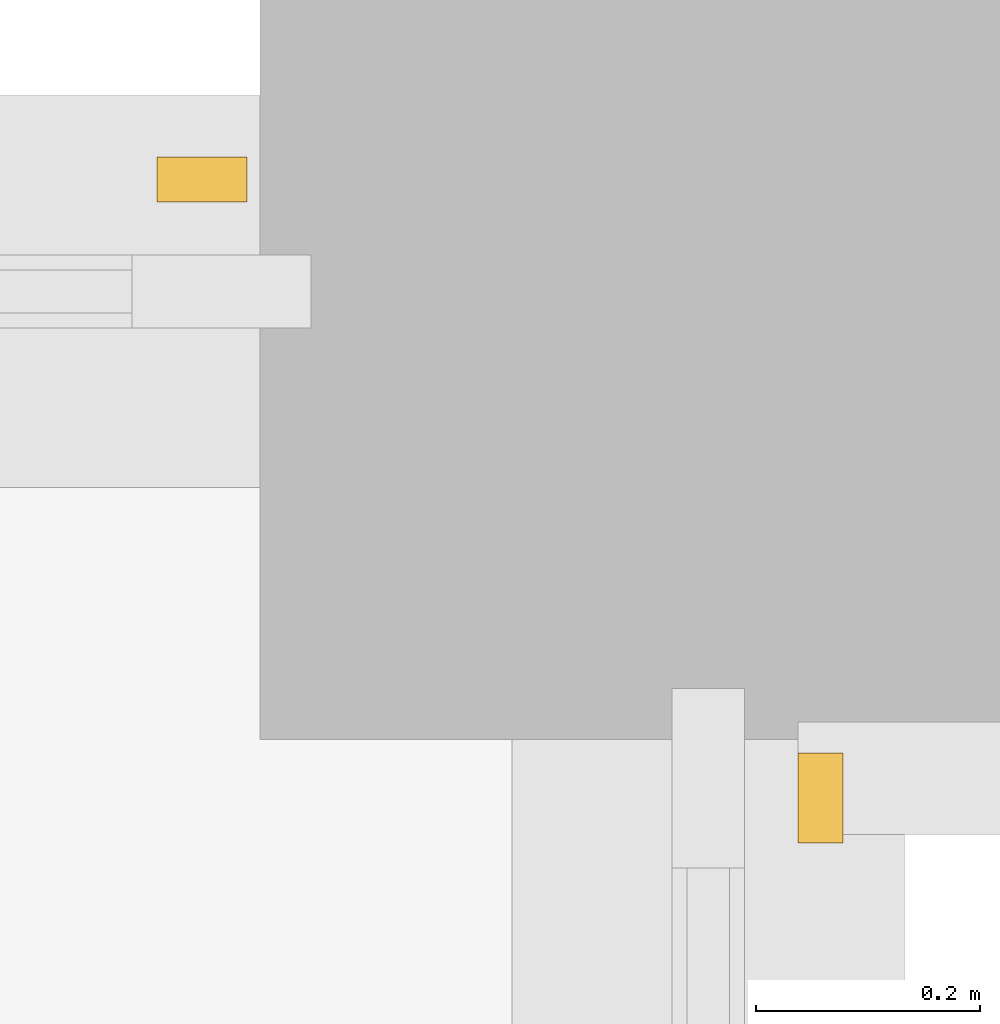
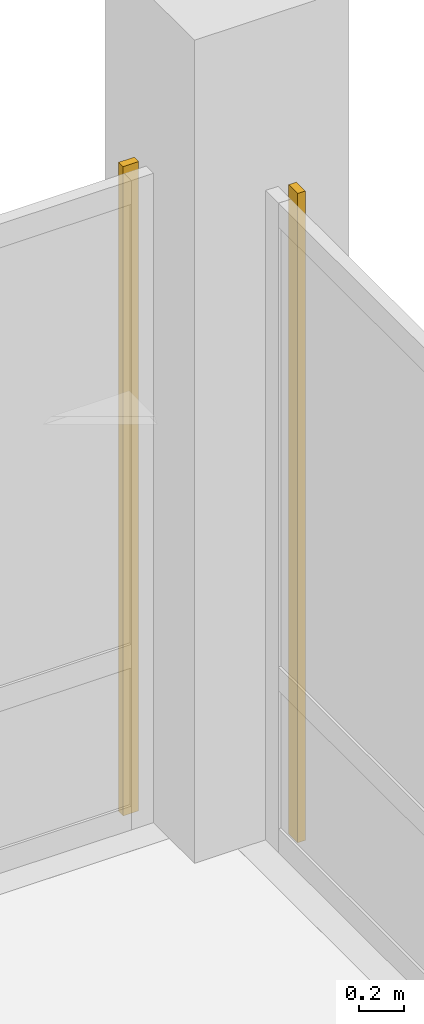
# One storey, part 35 of 35: 2 coverings.
"""IFC4 building model written with IfcOpenShell, lengths in metres."""

from ifc_helpers import new_model, si_unit, direction, frame, origin, origin_2d, place, context, subcontext, project, spatial, rectangle, extrude, material, layer, layer_set, type_object, element, save


model = new_model("IFC4")

# Units and contexts
model_context = context("Model", 3, precision=1e-05, world=origin(), true_north=direction((0.0, 1.0)))
body_context = subcontext(model_context, "Body", "Model", "MODEL_VIEW")
ifc_project = project(units=[si_unit("LENGTHUNIT", "METRE"), si_unit("AREAUNIT", "SQUARE_METRE"), si_unit("VOLUMEUNIT", "CUBIC_METRE"), si_unit("PLANEANGLEUNIT", "RADIAN"), si_unit("MASSUNIT", "GRAM", prefix="KILO")], contexts=[model_context])

# Site, building, storey
site_placement = place(None, origin())
site = spatial("IfcSite", under=ifc_project, at=site_placement, CompositionType="ELEMENT")
building_placement = place(site_placement, origin())
building = spatial("IfcBuilding", under=site, at=building_placement, Name="Telukmera Botanical Conservatory", CompositionType="ELEMENT")
storey_placement = place(building_placement, frame((0.0, 0.0, 28.5)))
storey = spatial("IfcBuildingStorey", under=building, at=storey_placement, Name="L06", CompositionType="ELEMENT", Elevation=28.5)

# Coverings
ifc_material = material(Name="Granite-faced precast concrete C40/50", Category="masonry")
ifc_layer = layer(ifc_material, 0.0400390625)
ifc_layer_set = layer_set([ifc_layer], Name="Granite-faced precast concrete C40/50")
covering_type = type_object("IfcCoveringType", Name="Granite Precast Column Pier Reveal Casing", PredefinedType="CLADDING", material=ifc_layer_set)
for number, where, z_axis, x_axis, name in (
    (1, (108.748046875, 42.89990234375, 0.0), (0.0, 0.0, 1.0), (1.0, 0.0, 0.0), "Granite Pier Reveal V4:L06:N7 R"),
    (2, (109.300048828125, 42.347900390625, 0.0), (0.0, 0.0, 1.0), (0.0, 1.0, 0.0), "Granite Pier Reveal V4:L06:E4 R"),
):
    element("IfcCovering", number, at=place(storey_placement, frame(where, z_axis=z_axis, x_axis=x_axis)), inside=storey, type_object=covering_type, Name=name, PredefinedType="CLADDING", context=body_context, shape_type="SweptSolid", body=[
        extrude(rectangle(XDim=0.080078125, YDim=0.0400390625, at=origin_2d()), origin(), (0.0, 0.0, 1.0), 3.550048828125),
    ])

save(model, "model.ifc")
